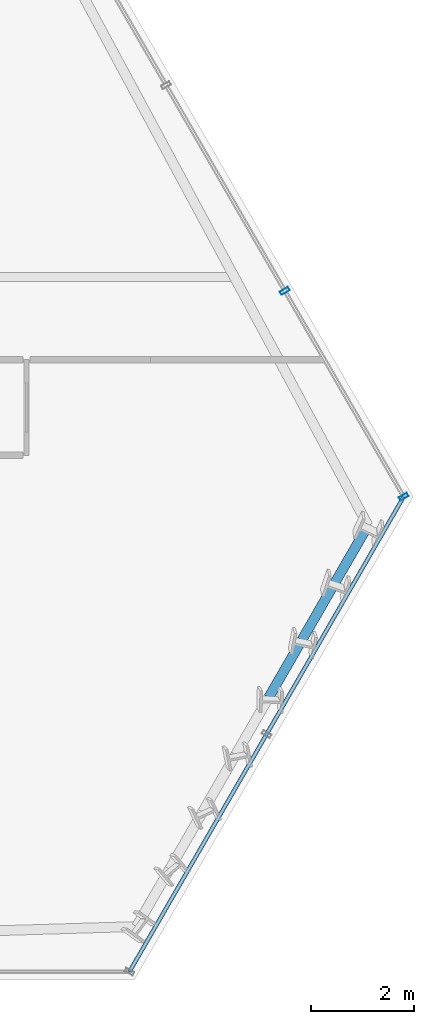
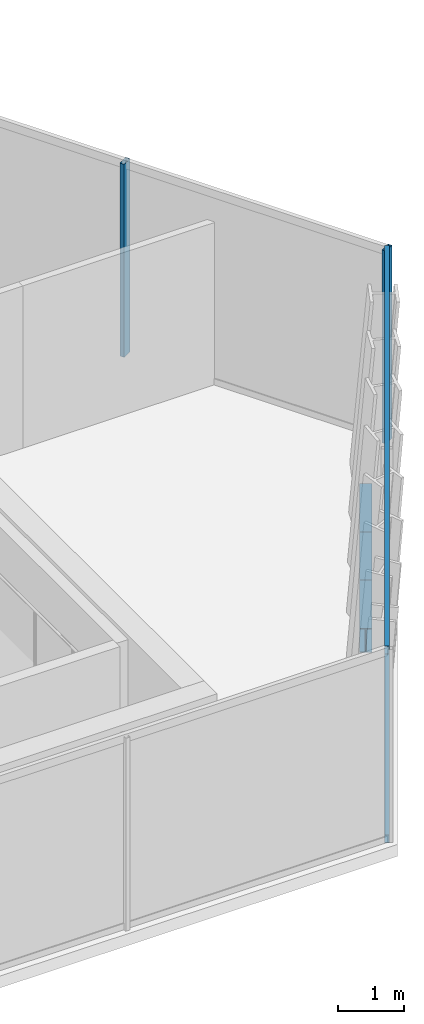
# One storey, part 16 of 33: 4 members, 3 beams, 2 elements without a shape of their own.
"""IFC4 building model written with IfcOpenShell, lengths in metres."""

from ifc_helpers import new_model, si_unit, direction, frame, origin, origin_2d, place, context, subcontext, project, spatial, hollow_rectangle, i_section, extrude, material, layer, layer_set, material_profile, profile_set, type_object, element, aggregate, save


model = new_model("IFC4")

# Units and contexts
model_context = context("Model", 3, precision=1e-05, world=origin(), true_north=direction((0.0, 1.0)))
body_context = subcontext(model_context, "Body", "Model", "MODEL_VIEW")
ifc_project = project(units=[si_unit("LENGTHUNIT", "METRE"), si_unit("AREAUNIT", "SQUARE_METRE"), si_unit("VOLUMEUNIT", "CUBIC_METRE"), si_unit("PLANEANGLEUNIT", "RADIAN"), si_unit("MASSUNIT", "GRAM", prefix="KILO")], contexts=[model_context])

# Site, building, storey
site_placement = place(None, origin())
site = spatial("IfcSite", under=ifc_project, at=site_placement, CompositionType="ELEMENT")
building_placement = place(site_placement, origin())
building = spatial("IfcBuilding", under=site, at=building_placement, Name="Ndaravel Arena Tower", CompositionType="ELEMENT")
storey_placement = place(building_placement, frame((0.0, 0.0, 168.800048828125)))
storey = spatial("IfcBuildingStorey", under=building, at=storey_placement, Name="L40", CompositionType="ELEMENT", Elevation=168.800048828125)

# Beams
ifc_material_1 = material(Name="Steel S355", Category="steel")
ifc_material_profile_1 = material_profile(ifc_material_1, i_section(OverallWidth=0.18994140625, OverallDepth=0.449951171875, WebThickness=0.009521484375, FlangeThickness=0.0146484375, FilletRadius=0.02099609375, at=origin_2d()), Name="IPE 450")
ifc_profile_set_1 = profile_set([ifc_material_profile_1], Name="Steel S355")
beam_type = type_object("IfcBeamType", Name="BM-SPAN-IPE450", PredefinedType="SPANDREL", material=ifc_profile_set_1)
beam_1_placement = place(storey_placement, frame((63.0859375, 10.468505859375, -0.445068359375), z_axis=(0.499975646431, 0.866039463868, 0.0), x_axis=(-0.866039463868, 0.499975646431, 0.0)))
element("IfcBeam", 1, at=beam_1_placement, inside=storey, type_object=beam_type, Name="L40 Perimeter Spandrel Beam SP-06", PredefinedType="SPANDREL", context=body_context, shape_type="SweptSolid", body=[
    extrude(i_section(OverallWidth=0.18994140625, OverallDepth=0.449951171875, WebThickness=0.009521484375, FlangeThickness=0.0146484375, FilletRadius=0.02099609375, at=origin_2d()), origin(), (0.0, 0.0, 1.0), 1.27978515625),
])
beam_2_placement = place(storey_placement, frame((63.725830078125, 11.576904296875, -0.445068359375), z_axis=(0.500036104519, 0.866004557827, 0.0), x_axis=(-0.866004557827, 0.500036104519, 0.0)))
element("IfcBeam", 2, at=beam_2_placement, inside=storey, type_object=beam_type, Name="L40 Perimeter Spandrel Beam SP-07", PredefinedType="SPANDREL", context=body_context, shape_type="SweptSolid", body=[
    extrude(i_section(OverallWidth=0.18994140625, OverallDepth=0.449951171875, WebThickness=0.009521484375, FlangeThickness=0.0146484375, FilletRadius=0.02099609375, at=origin_2d()), origin(), (0.0, 0.0, 1.0), 1.2802734375),
])
beam_3_placement = place(storey_placement, frame((64.365966796875, 12.685546875, -0.445068359375), z_axis=(0.499893060024, 0.866087136806, 0.0), x_axis=(-0.866087136806, 0.499893060024, 0.0)))
element("IfcBeam", 3, at=beam_3_placement, inside=storey, type_object=beam_type, Name="L40 Perimeter Spandrel Beam SP-08", PredefinedType="SPANDREL", context=body_context, shape_type="SweptSolid", body=[
    extrude(i_section(OverallWidth=0.18994140625, OverallDepth=0.449951171875, WebThickness=0.009521484375, FlangeThickness=0.0146484375, FilletRadius=0.02099609375, at=origin_2d()), origin(), (0.0, 0.0, 1.0), 1.280029296875),
])

# Curtain wall, members
ifc_material_2 = material(Name="Aluminium", Category="aluminium")
ifc_layer_1 = layer(ifc_material_2, 0.179931640625)
ifc_layer_set_1 = layer_set([ifc_layer_1], Name="Aluminium")
curtain_wall_type_1 = type_object("IfcCurtainWallType", Name="CW-SYS-03", PredefinedType="NOTDEFINED", material=ifc_layer_set_1)
curtain_wall_1_placement = place(storey_placement, origin())
curtain_wall_1 = element("IfcCurtainWall", 4, at=curtain_wall_1_placement, inside=storey, type_object=curtain_wall_type_1, Name="L40 Faceted Crystal Curtain Wall CW-L40-E03", PredefinedType="NOTDEFINED")
ifc_material_3 = material(Name="Aluminium", Category="aluminium")
ifc_material_profile_2 = material_profile(ifc_material_3, hollow_rectangle(XDim=0.074951171875, YDim=0.179931640625, WallThickness=0.00390625, at=origin_2d()), Name="CW MULLION 75x180x4")
ifc_profile_set_2 = profile_set([ifc_material_profile_2], Name="Aluminium")
member_type_1 = type_object("IfcMemberType", Name="MEM-CW-MUL180", PredefinedType="MULLION", material=ifc_profile_set_2)
member_1_placement = place(storey_placement, frame((65.6953125, 14.348388671875, 0.0), z_axis=(0.0, 0.0, 1.0), x_axis=(-0.5, 0.866025403784, 0.0)))
member_1 = element("IfcMember", 5, at=member_1_placement, type_object=member_type_1, Name="CW-L40-E03 Mullion 00", PredefinedType="MULLION", context=body_context, shape_type="SweptSolid", body=[
    extrude(hollow_rectangle(XDim=0.074951171875, YDim=0.179931640625, WallThickness=0.00390625, at=origin_2d()), origin(), (0.0, 0.0, 1.0), 3.579833984375),
])
member_2_placement = place(storey_placement, frame((63.396484375, 18.330078125, 0.0), z_axis=(0.0, 0.0, 1.0), x_axis=(-0.5, 0.866025403784, 0.0)))
member_2 = element("IfcMember", 6, at=member_2_placement, type_object=member_type_1, Name="CW-L40-E03 Mullion 01", PredefinedType="MULLION", context=body_context, shape_type="SweptSolid", body=[
    extrude(hollow_rectangle(XDim=0.074951171875, YDim=0.179931640625, WallThickness=0.00390625, at=origin_2d()), origin(), (0.0, 0.0, 1.0), 3.579833984375),
])
aggregate(curtain_wall_1, [member_1, member_2])

ifc_material_4 = material(Name="Aluminium", Category="aluminium")
ifc_layer_2 = layer(ifc_material_4, 0.179931640625)
ifc_layer_set_2 = layer_set([ifc_layer_2], Name="Aluminium")
curtain_wall_type_2 = type_object("IfcCurtainWallType", Name="CW-SYS-01", PredefinedType="NOTDEFINED", material=ifc_layer_set_2)
curtain_wall_2_placement = place(storey_placement, origin())
curtain_wall_2 = element("IfcCurtainWall", 7, at=curtain_wall_2_placement, inside=storey, type_object=curtain_wall_type_2, Name="L40 Faceted Crystal Curtain Wall CW-L40-E02", PredefinedType="NOTDEFINED")
ifc_material_5 = material(Name="Aluminium", Category="aluminium")
ifc_material_profile_3 = material_profile(ifc_material_5, hollow_rectangle(XDim=0.074951171875, YDim=0.14990234375, WallThickness=0.00390625, at=origin_2d()), Name="CW TRANSOM 75x150x4")
ifc_profile_set_3 = profile_set([ifc_material_profile_3], Name="Aluminium")
member_type_2 = type_object("IfcMemberType", Name="MEM-CW-TRN150", PredefinedType="USERDEFINED", material=ifc_profile_set_3)
member_3_placement = place(storey_placement, frame((60.390380859375, 5.159912109375, 0.0400390625), z_axis=(0.499997329654, 0.866026945504, 0.0), x_axis=(-0.866026945504, 0.499997329654, 0.0)))
member_3 = element("IfcMember", 8, at=member_3_placement, type_object=member_type_2, Name="CW-L40-E02 Transom 01", ObjectType="TRANSOM", PredefinedType="USERDEFINED", context=body_context, shape_type="SweptSolid", body=[
    extrude(hollow_rectangle(XDim=0.074951171875, YDim=0.14990234375, WallThickness=0.00390625, at=origin_2d()), origin(), (0.0, 0.0, 1.0), 10.60986328125),
])
member_4_placement = place(storey_placement, frame((60.390380859375, 5.159912109375, 3.5400390625), z_axis=(0.499997329654, 0.866026945504, 0.0), x_axis=(-0.866026945504, 0.499997329654, 0.0)))
member_4 = element("IfcMember", 9, at=member_4_placement, type_object=member_type_2, Name="CW-L40-E02 Transom 02", ObjectType="TRANSOM", PredefinedType="USERDEFINED", context=body_context, shape_type="SweptSolid", body=[
    extrude(hollow_rectangle(XDim=0.074951171875, YDim=0.14990234375, WallThickness=0.00390625, at=origin_2d()), origin(), (0.0, 0.0, 1.0), 10.60986328125),
])
aggregate(curtain_wall_2, [member_3, member_4])

save(model, "model.ifc")
